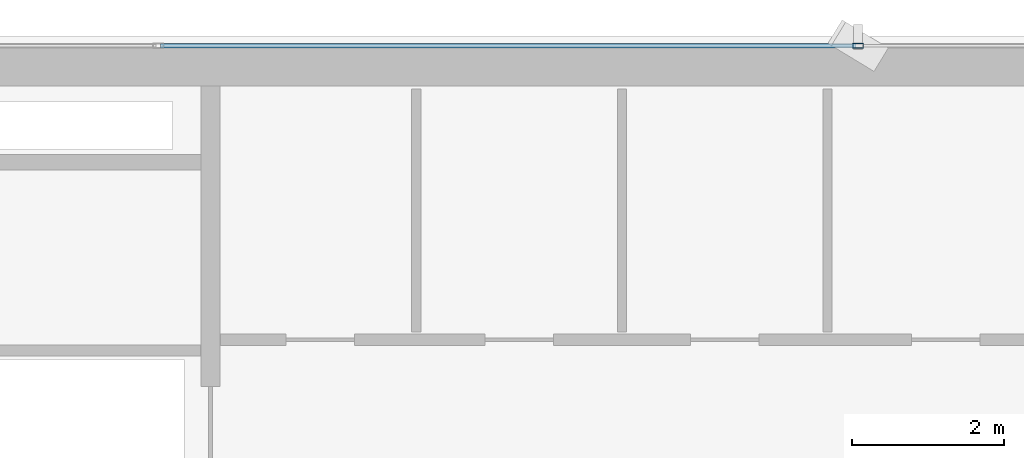
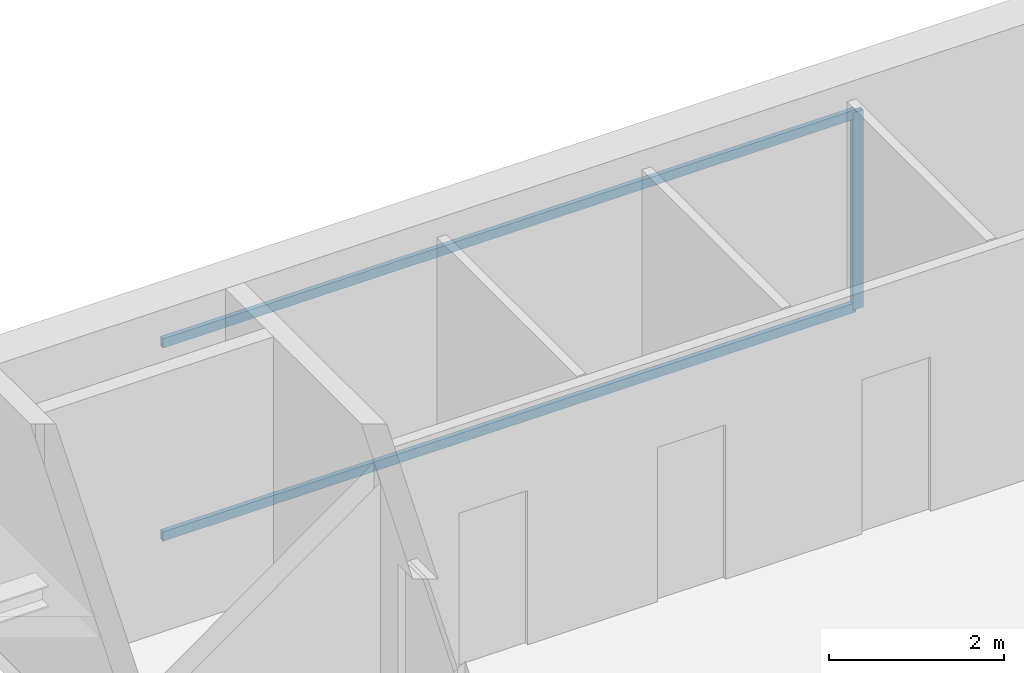
# One storey, part 16 of 26: 3 members, 1 element without a shape of its own.
"""IFC4 building model written with IfcOpenShell, lengths in metres."""

from ifc_helpers import new_model, si_unit, direction, frame, origin, origin_2d, place, context, subcontext, project, spatial, hollow_rectangle, extrude, source, transform, mapped, material, layer, layer_set, material_profile, profile_set, type_object, element, aggregate, save


model = new_model("IFC4")

# Units and contexts
model_context = context("Model", 3, precision=1e-05, world=origin(), true_north=direction((0.0, 1.0)))
body_context = subcontext(model_context, "Body", "Model", "MODEL_VIEW")
ifc_project = project(units=[si_unit("LENGTHUNIT", "METRE"), si_unit("AREAUNIT", "SQUARE_METRE"), si_unit("VOLUMEUNIT", "CUBIC_METRE"), si_unit("PLANEANGLEUNIT", "RADIAN"), si_unit("MASSUNIT", "GRAM", prefix="KILO")], contexts=[model_context])

# Site, building, storey
site_placement = place(None, origin())
site = spatial("IfcSite", under=ifc_project, at=site_placement, CompositionType="ELEMENT")
building_placement = place(site_placement, origin())
building = spatial("IfcBuilding", under=site, at=building_placement, Name="Sumidabori Civic Tower", CompositionType="ELEMENT")
storey_placement = place(building_placement, frame((0.0, 0.0, 261.199951171875)))
storey = spatial("IfcBuildingStorey", under=building, at=storey_placement, Name="L68", CompositionType="ELEMENT", Elevation=261.199951171875)

# Curtain wall, members
ifc_material = material(Name="Anodised Bronze Aluminium AW-6063-T6", Category="aluminium")
ifc_layer = layer(ifc_material, 0.179931640625, Name="Anodised Bronze Aluminium AW-6063-T6")
ifc_layer_set = layer_set([ifc_layer], Name="Anodised Bronze Aluminium AW-6063-T6")
curtain_wall_type = type_object("IfcCurtainWallType", Name="CW-SYS-5", PredefinedType="NOTDEFINED", material=ifc_layer_set)
curtain_wall_placement = place(storey_placement, origin())
curtain_wall = element("IfcCurtainWall", 1, at=curtain_wall_placement, inside=storey, type_object=curtain_wall_type, Name="Curtain Wall CW:L68:R07", PredefinedType="NOTDEFINED")
ifc_material_profile_1 = material_profile(ifc_material, hollow_rectangle(XDim=0.06005859375, YDim=0.1298828125, WallThickness=0.0048828125, at=origin_2d()), Name="ALU TRANSOM 130x60")
ifc_profile_set_1 = profile_set([ifc_material_profile_1], Name="Anodised Bronze Aluminium AW-6063-T6")
member_type_1 = type_object("IfcMemberType", Name="CW-TRN-130", PredefinedType="USERDEFINED", material=ifc_profile_set_1)
shared_shape_1 = source(origin(), body_context, "Body", "SweptSolid", [
    extrude(hollow_rectangle(XDim=0.06005859375, YDim=0.1298828125, WallThickness=0.0048828125, at=origin_2d()), origin(), (0.0, 0.0, 1.0), 9.125),
])
member_1_placement = place(storey_placement, frame((-0.030029296875, 24.080078125, 0.030029296875), z_axis=(-1.0, 0.0, 0.0), x_axis=(0.0, -1.0, 0.0)))
member_1 = element("IfcMember", 2, at=member_1_placement, type_object=member_type_1, Name="CW-5 transom 3.1", ObjectType="TRANSOM", PredefinedType="USERDEFINED", context=body_context, shape_type="MappedRepresentation", body=[
    mapped(shared_shape_1, transform((0.0, 0.0, 0.0), x_axis=(1.0, 0.0, 0.0), y_axis=(0.0, 1.0, 0.0), z_axis=(0.0, 0.0, 1.0), scale=1.0)),
])
member_2_placement = place(storey_placement, frame((-0.030029296875, 24.080078125, 2.719970703125), z_axis=(-1.0, 0.0, 0.0), x_axis=(0.0, -1.0, 0.0)))
member_2 = element("IfcMember", 3, at=member_2_placement, type_object=member_type_1, Name="CW-5 transom 3.2", ObjectType="TRANSOM", PredefinedType="USERDEFINED", context=body_context, shape_type="MappedRepresentation", body=[
    mapped(shared_shape_1, transform((0.0, 0.0, 0.0), x_axis=(1.0, 0.0, 0.0), y_axis=(0.0, 1.0, 0.0), z_axis=(0.0, 0.0, 1.0), scale=1.0)),
])
ifc_material_profile_2 = material_profile(ifc_material, hollow_rectangle(XDim=0.06005859375, YDim=0.139892578125, WallThickness=0.0048828125, at=origin_2d()), Name="ALU MULLION 140x60")
ifc_profile_set_2 = profile_set([ifc_material_profile_2], Name="Anodised Bronze Aluminium AW-6063-T6")
member_type_2 = type_object("IfcMemberType", Name="CW-MUL-140", PredefinedType="MULLION", material=ifc_profile_set_2)
shared_shape_2 = source(origin(), body_context, "Body", "SweptSolid", [
    extrude(hollow_rectangle(XDim=0.06005859375, YDim=0.139892578125, WallThickness=0.0048828125, at=origin_2d()), origin(), (0.0, 0.0, 1.0), 2.75),
])
member_3_placement = place(storey_placement, frame((0.0, 24.080078125, 0.0), z_axis=(0.0, 0.0, 1.0), x_axis=(0.0, -1.0, 0.0)))
member_3 = element("IfcMember", 4, at=member_3_placement, type_object=member_type_2, Name="CW-5 mullion 3", PredefinedType="MULLION", context=body_context, shape_type="MappedRepresentation", body=[
    mapped(shared_shape_2, transform((0.0, 0.0, 0.0), x_axis=(1.0, 0.0, 0.0), y_axis=(0.0, 1.0, 0.0), z_axis=(0.0, 0.0, 1.0), scale=1.0)),
])
aggregate(curtain_wall, [member_3, member_1, member_2])

save(model, "model.ifc")
